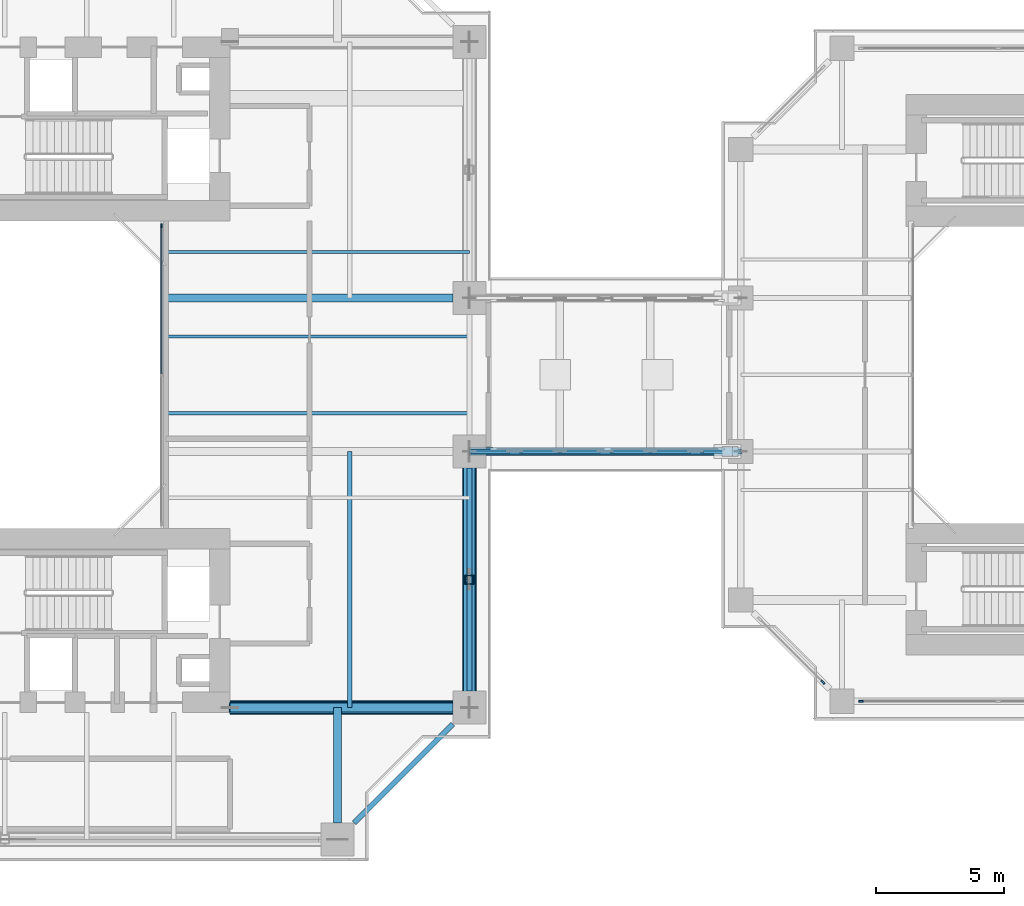
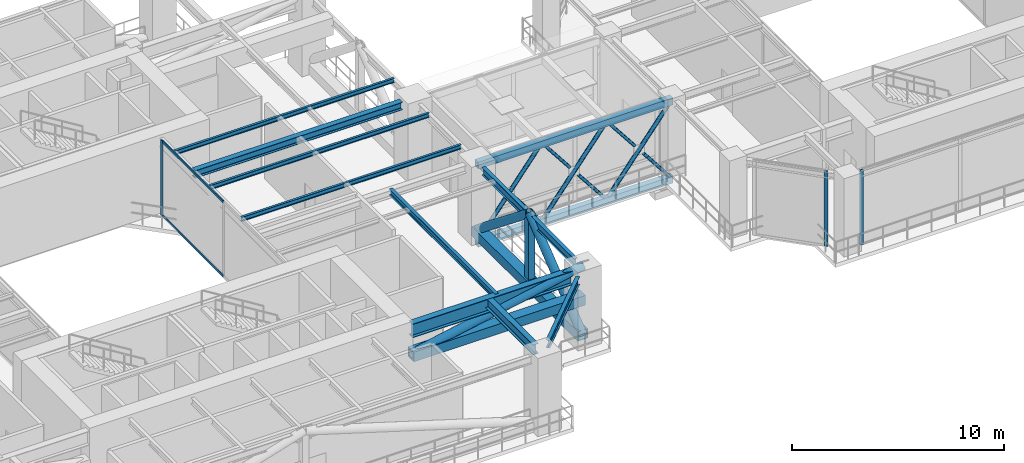
# One storey, part 5 of 26: 22 members, 9 beams, 3 elements without a shape of their own.
"""IFC4 building model written with IfcOpenShell, lengths in metres."""

from ifc_helpers import new_model, si_unit, direction, frame, origin, origin_2d, place, context, subcontext, project, spatial, rectangle, hollow_rectangle, hollow_circle, i_section, extrude, source, transform, mapped, material, layer, layer_set, material_profile, profile_set, type_object, element, aggregate, save


model = new_model("IFC4")

# Units and contexts
model_context = context("Model", 3, precision=1e-05, world=origin(), true_north=direction((0.0, 1.0)))
body_context = subcontext(model_context, "Body", "Model", "MODEL_VIEW")
ifc_project = project(units=[si_unit("LENGTHUNIT", "METRE"), si_unit("AREAUNIT", "SQUARE_METRE"), si_unit("VOLUMEUNIT", "CUBIC_METRE"), si_unit("PLANEANGLEUNIT", "RADIAN"), si_unit("MASSUNIT", "GRAM", prefix="KILO"), si_unit("THERMODYNAMICTEMPERATUREUNIT", "KELVIN"), si_unit("POWERUNIT", "WATT")], contexts=[model_context])

# Site, building, storey
site_placement = place(None, origin())
site = spatial("IfcSite", under=ifc_project, at=site_placement, CompositionType="ELEMENT")
building_placement = place(site_placement, origin())
building = spatial("IfcBuilding", under=site, at=building_placement, Name="Qiaomeng Ring Towers", CompositionType="ELEMENT")
storey_placement = place(building_placement, frame((0.0, 0.0, 45.75)))
storey = spatial("IfcBuildingStorey", under=building, at=storey_placement, Name="L12", CompositionType="ELEMENT", Elevation=45.75)

# Beams
ifc_material_1 = material(Name="Steel Q355B", Category="steel")
ifc_material_profile_1 = material_profile(ifc_material_1, i_section(OverallWidth=0.199951171875, OverallDepth=0.449951171875, WebThickness=0.009033203125, FlangeThickness=0.013916015625, FilletRadius=0.01806640625, at=origin_2d()), Name="HN 450x200x9x14")
ifc_profile_set_1 = profile_set([ifc_material_profile_1], Name="Steel Q355B")
beam_type_1 = type_object("IfcBeamType", Name="STR-BM-HN450", PredefinedType="SPANDREL", material=ifc_profile_set_1)
shared_shape_1 = source(origin(), body_context, "Body", "SweptSolid", [
    extrude(i_section(OverallWidth=0.199951171875, OverallDepth=0.449951171875, WebThickness=0.009033203125, FlangeThickness=0.013916015625, FilletRadius=0.01806640625, at=origin_2d()), origin(), (0.0, 0.0, 1.0), 5.446533203125),
])
beam_1_placement = place(storey_placement, frame((32.6494140625, 5.499267578125, 4.094970703125), z_axis=(0.707106781187, 0.707106781187, 0.0), x_axis=(-0.707106781187, 0.707106781187, 0.0)))
element("IfcBeam", 1, at=beam_1_placement, inside=storey, type_object=beam_type_1, Name="L12 beam STR-SP-L12-T1-S2-E1", PredefinedType="SPANDREL", context=body_context, shape_type="MappedRepresentation", body=[
    mapped(shared_shape_1, transform((0.0, 0.0, 0.0), x_axis=(1.0, 0.0, 0.0), y_axis=(0.0, 1.0, 0.0), z_axis=(0.0, 0.0, 1.0), scale=1.0)),
])
shared_shape_2 = source(origin(), body_context, "Body", "SweptSolid", [
    extrude(i_section(OverallWidth=0.199951171875, OverallDepth=0.449951171875, WebThickness=0.009033203125, FlangeThickness=0.013916015625, FilletRadius=0.01806640625, at=origin_2d()), origin(), (0.0, 0.0, 1.0), 8.7021484375),
])
beam_2_placement = place(storey_placement, frame((37.14990234375, 10.64892578125, 4.094970703125), z_axis=(0.0, 1.0, 0.0), x_axis=(-1.0, 0.0, 0.0)))
element("IfcBeam", 2, at=beam_2_placement, inside=storey, type_object=beam_type_1, Name="L12 beam STR-SP-L12-T1-E1-E2", PredefinedType="SPANDREL", context=body_context, shape_type="MappedRepresentation", body=[
    mapped(shared_shape_2, transform((0.0, 0.0, 0.0), x_axis=(1.0, 0.0, 0.0), y_axis=(0.0, 1.0, 0.0), z_axis=(0.0, 0.0, 1.0), scale=1.0)),
])
ifc_material_2 = material(Name="Steel Q390GJC", Category="steel")
ifc_material_profile_2 = material_profile(ifc_material_2, i_section(OverallWidth=0.35009765625, OverallDepth=0.800048828125, WebThickness=0.01611328125, FlangeThickness=0.028076171875, at=origin_2d()), Name="WH 800x350x16x28")
ifc_profile_set_2 = profile_set([ifc_material_profile_2], Name="Steel Q390GJC")
beam_type_2 = type_object("IfcBeamType", Name="STR-BM-WH800", PredefinedType="BEAM", material=ifc_profile_set_2)
shared_shape_3 = source(origin(), body_context, "Body", "SweptSolid", [
    extrude(i_section(OverallWidth=0.35009765625, OverallDepth=0.800048828125, WebThickness=0.01611328125, FlangeThickness=0.028076171875, at=origin_2d()), origin(), (0.0, 0.0, 1.0), 8.700927734375),
])
beam_3_placement = place(storey_placement, frame((27.800048828125, 10.0, 3.919921875), z_axis=(1.0, 0.0, 0.0), x_axis=(0.0, 1.0, 0.0)))
element("IfcBeam", 3, at=beam_3_placement, inside=storey, type_object=beam_type_2, Name="L12 beam STR-BM-L12-T1-RAD-E1", PredefinedType="BEAM", context=body_context, shape_type="MappedRepresentation", body=[
    mapped(shared_shape_3, transform((0.0, 0.0, 0.0), x_axis=(1.0, 0.0, 0.0), y_axis=(0.0, 1.0, 0.0), z_axis=(0.0, 0.0, 1.0), scale=1.0)),
])
ifc_material_profile_3 = material_profile(ifc_material_1, i_section(OverallWidth=0.300048828125, OverallDepth=0.587890625, WebThickness=0.011962890625, FlangeThickness=0.02001953125, FilletRadius=0.028076171875, at=origin_2d()), Name="HM 588x300x12x20")
ifc_profile_set_3 = profile_set([ifc_material_profile_3], Name="Steel Q355B")
beam_type_3 = type_object("IfcBeamType", Name="STR-BM-HM588", PredefinedType="BEAM", material=ifc_profile_set_3)
shared_shape_4 = source(origin(), body_context, "Body", "SweptSolid", [
    extrude(i_section(OverallWidth=0.300048828125, OverallDepth=0.587890625, WebThickness=0.011962890625, FlangeThickness=0.02001953125, FilletRadius=0.028076171875, at=origin_2d()), origin(), (0.0, 0.0, 1.0), 4.5009765625),
])
beam_4_placement = place(storey_placement, frame((32.0, 5.4990234375, 4.02587890625), z_axis=(0.0, 1.0, 0.0), x_axis=(-1.0, 0.0, 0.0)))
element("IfcBeam", 4, at=beam_4_placement, inside=storey, type_object=beam_type_3, Name="L12 beam STR-BM-L12-T1-RAD-S2", PredefinedType="BEAM", context=body_context, shape_type="MappedRepresentation", body=[
    mapped(shared_shape_4, transform((0.0, 0.0, 0.0), x_axis=(1.0, 0.0, 0.0), y_axis=(0.0, 1.0, 0.0), z_axis=(0.0, 0.0, 1.0), scale=1.0)),
])
ifc_material_profile_4 = material_profile(ifc_material_1, i_section(OverallWidth=0.300048828125, OverallDepth=0.43994140625, WebThickness=0.010986328125, FlangeThickness=0.01806640625, FilletRadius=0.02392578125, at=origin_2d()), Name="HM 440x300x11x18")
ifc_profile_set_4 = profile_set([ifc_material_profile_4], Name="Steel Q355B")
beam_type_4 = type_object("IfcBeamType", Name="STR-BM-HM440", PredefinedType="BEAM", material=ifc_profile_set_4)
shared_shape_5 = source(origin(), body_context, "Body", "SweptSolid", [
    extrude(i_section(OverallWidth=0.300048828125, OverallDepth=0.43994140625, WebThickness=0.010986328125, FlangeThickness=0.01806640625, FilletRadius=0.02392578125, at=origin_2d()), origin(), (0.0, 0.0, 1.0), 11.301025390625),
])
beam_5_placement = place(storey_placement, frame((25.199951171875, 26.0, 4.10009765625), z_axis=(1.0, 0.0, 0.0), x_axis=(0.0, 1.0, 0.0)))
element("IfcBeam", 5, at=beam_5_placement, inside=storey, type_object=beam_type_4, Name="L12 beam STR-BM-L12-T1-RAD-E3", PredefinedType="BEAM", context=body_context, shape_type="MappedRepresentation", body=[
    mapped(shared_shape_5, transform((0.0, 0.0, 0.0), x_axis=(1.0, 0.0, 0.0), y_axis=(0.0, 1.0, 0.0), z_axis=(0.0, 0.0, 1.0), scale=1.0)),
])
ifc_material_profile_5 = material_profile(ifc_material_1, i_section(OverallWidth=0.125, OverallDepth=0.25, WebThickness=0.006103515625, FlangeThickness=0.009033203125, FilletRadius=0.011962890625, at=origin_2d()), Name="HN 250x125x6x9")
ifc_profile_set_5 = profile_set([ifc_material_profile_5], Name="Steel Q355B")
beam_type_5 = type_object("IfcBeamType", Name="STR-BM-HN250", PredefinedType="JOIST", material=ifc_profile_set_5)
shared_shape_6 = source(origin(), body_context, "Body", "SweptSolid", [
    extrude(i_section(OverallWidth=0.125, OverallDepth=0.25, WebThickness=0.006103515625, FlangeThickness=0.009033203125, FilletRadius=0.011962890625, at=origin_2d()), origin(), (0.0, 0.0, 1.0), 11.949951171875),
])
for number, where, z_axis, x_axis, name in (
    (6, (25.199951171875, 21.5, 4.195068359375), (1.0, 0.0, 0.0), (0.0, 1.0, 0.0), "L12 beam STR-JST-L12-T1E-2"),
    (7, (25.199951171875, 24.5, 4.195068359375), (1.0, 0.0, 0.0), (0.0, 1.0, 0.0), "L12 beam STR-JST-L12-T1E-3"),
    (8, (25.199951171875, 27.800048828125, 4.195068359375), (1.0, 0.0, 0.0), (0.0, 1.0, 0.0), "L12 beam STR-JST-L12-T1E-4"),
):
    element("IfcBeam", number, at=place(storey_placement, frame(where, z_axis=z_axis, x_axis=x_axis)), inside=storey, type_object=beam_type_5, Name=name, PredefinedType="JOIST", context=body_context, shape_type="MappedRepresentation", body=[
        mapped(shared_shape_6, transform((0.0, 0.0, 0.0), x_axis=(1.0, 0.0, 0.0), y_axis=(0.0, 1.0, 0.0), z_axis=(0.0, 0.0, 1.0), scale=1.0)),
    ])
ifc_material_profile_6 = material_profile(ifc_material_1, i_section(OverallWidth=0.175048828125, OverallDepth=0.35009765625, WebThickness=0.007080078125, FlangeThickness=0.010986328125, FilletRadius=0.013916015625, at=origin_2d()), Name="HN 350x175x7x11")
ifc_profile_set_6 = profile_set([ifc_material_profile_6], Name="Steel Q355B")
beam_type_6 = type_object("IfcBeamType", Name="STR-BM-HN350", PredefinedType="JOIST", material=ifc_profile_set_6)
shared_shape_7 = source(origin(), body_context, "Body", "SweptSolid", [
    extrude(i_section(OverallWidth=0.175048828125, OverallDepth=0.35009765625, WebThickness=0.007080078125, FlangeThickness=0.010986328125, FilletRadius=0.013916015625, at=origin_2d()), origin(), (0.0, 0.0, 1.0), 10.0),
])
beam_6_placement = place(storey_placement, frame((32.47509765625, 10.0, 4.14501953125), z_axis=(0.0, 1.0, 0.0), x_axis=(-1.0, 0.0, 0.0)))
element("IfcBeam", 9, at=beam_6_placement, inside=storey, type_object=beam_type_6, Name="L12 beam STR-JST-L12-T1C-ES", PredefinedType="JOIST", context=body_context, shape_type="MappedRepresentation", body=[
    mapped(shared_shape_7, transform((0.0, 0.0, 0.0), x_axis=(1.0, 0.0, 0.0), y_axis=(0.0, 1.0, 0.0), z_axis=(0.0, 0.0, 1.0), scale=1.0)),
])

# Members
ifc_material_profile_7 = material_profile(ifc_material_2, hollow_rectangle(XDim=0.35009765625, YDim=0.35009765625, WallThickness=0.02001953125, at=origin_2d()), Name="SHS 350x350x20")
ifc_profile_set_7 = profile_set([ifc_material_profile_7], Name="Steel Q390GJC")
member_type_1 = type_object("IfcMemberType", Name="STR-MB-POST-350", PredefinedType="POST", material=ifc_profile_set_7)
shared_shape_8 = source(origin(), body_context, "Body", "SweptSolid", [
    extrude(hollow_rectangle(XDim=0.35009765625, YDim=0.35009765625, WallThickness=0.02001953125, at=origin_2d()), origin(), (0.0, 0.0, 1.0), 4.0),
])
member_1_placement = place(storey_placement, frame((37.14990234375, 15.0, 0.320068359375), z_axis=(0.0, 0.0, 1.0), x_axis=(1.0, 0.0, 0.0)))
element("IfcMember", 10, at=member_1_placement, inside=storey, type_object=member_type_1, Name="L12 Belt Truss Post E1-E2", PredefinedType="POST", context=body_context, shape_type="MappedRepresentation", body=[
    mapped(shared_shape_8, transform((0.0, 0.0, 0.0), x_axis=(1.0, 0.0, 0.0), y_axis=(0.0, 1.0, 0.0), z_axis=(0.0, 0.0, 1.0), scale=1.0)),
])
ifc_material_profile_8 = material_profile(ifc_material_2, hollow_rectangle(XDim=0.550048828125, YDim=0.550048828125, WallThickness=0.031982421875, at=origin_2d()), Name="SHS 550x550x32")
ifc_profile_set_8 = profile_set([ifc_material_profile_8], Name="Steel Q390GJC")
member_type_2 = type_object("IfcMemberType", Name="STR-MB-CHORD-550", PredefinedType="CHORD", material=ifc_profile_set_8)
shared_shape_9 = source(origin(), body_context, "Body", "SweptSolid", [
    extrude(hollow_rectangle(XDim=0.550048828125, YDim=0.550048828125, WallThickness=0.031982421875, at=origin_2d()), origin(), (0.0, 0.0, 1.0), 10.0),
])
member_2_placement = place(storey_placement, frame((37.14990234375, 10.0, 0.320068359375), z_axis=(0.0, 1.0, 0.0), x_axis=(-1.0, 0.0, 0.0)))
element("IfcMember", 11, at=member_2_placement, inside=storey, type_object=member_type_2, Name="L12 Belt Truss Bottom Chord E1-E2", PredefinedType="CHORD", context=body_context, shape_type="MappedRepresentation", body=[
    mapped(shared_shape_9, transform((0.0, 0.0, 0.0), x_axis=(1.0, 0.0, 0.0), y_axis=(0.0, 1.0, 0.0), z_axis=(0.0, 0.0, 1.0), scale=1.0)),
])
ifc_material_profile_9 = material_profile(ifc_material_2, hollow_circle(Radius=0.228515625, WallThickness=0.028076171875, at=origin_2d()), Name="CHS 457x28")
ifc_profile_set_9 = profile_set([ifc_material_profile_9], Name="Steel Q390GJC")
member_type_3 = type_object("IfcMemberType", Name="STR-MB-BR-457", PredefinedType="BRACE", material=ifc_profile_set_9)
shared_shape_10 = source(origin(), body_context, "Body", "SweptSolid", [
    extrude(hollow_circle(Radius=0.228515625, WallThickness=0.028076171875, at=origin_2d()), origin(), (0.0, 0.0, 1.0), 6.390625),
])
for number, where, z_axis, x_axis, name in (
    (12, (37.14990234375, 10.0, 0.320068359375), (0.0, 0.782394587595, 0.622783035497), (-1.0, 0.0, 0.0), "L12 Belt Truss Diagonal E1-M"),
    (13, (37.14990234375, 20.0, 0.320068359375), (0.0, -0.782394587595, 0.622783035497), (1.0, 0.0, 0.0), "L12 Belt Truss Diagonal E2-M"),
):
    element("IfcMember", number, at=place(storey_placement, frame(where, z_axis=z_axis, x_axis=x_axis)), inside=storey, type_object=member_type_3, Name=name, PredefinedType="BRACE", context=body_context, shape_type="MappedRepresentation", body=[
        mapped(shared_shape_10, transform((0.0, 0.0, 0.0), x_axis=(1.0, 0.0, 0.0), y_axis=(0.0, 1.0, 0.0), z_axis=(0.0, 0.0, 1.0), scale=1.0)),
    ])
shared_shape_11 = source(origin(), body_context, "Body", "SweptSolid", [
    extrude(hollow_rectangle(XDim=0.550048828125, YDim=0.550048828125, WallThickness=0.031982421875, at=origin_2d()), origin(), (0.0, 0.0, 1.0), 9.349853515625),
])
member_3_placement = place(storey_placement, frame((27.800048828125, 10.0, 2.47998046875), z_axis=(1.0, 0.0, 0.0), x_axis=(0.0, 1.0, 0.0)))
element("IfcMember", 14, at=member_3_placement, inside=storey, type_object=member_type_2, Name="L12 Core Outrigger Truss Bottom Chord E1", PredefinedType="CHORD", context=body_context, shape_type="MappedRepresentation", body=[
    mapped(shared_shape_11, transform((0.0, 0.0, 0.0), x_axis=(1.0, 0.0, 0.0), y_axis=(0.0, 1.0, 0.0), z_axis=(0.0, 0.0, 1.0), scale=1.0)),
])
shared_shape_12 = source(origin(), body_context, "Body", "SweptSolid", [
    extrude(hollow_circle(Radius=0.228515625, WallThickness=0.028076171875, at=origin_2d()), origin(), (0.0, 0.0, 1.0), 9.525390625),
])
member_4_placement = place(storey_placement, frame((27.800048828125, 10.0, 2.47998046875), z_axis=(0.981575216514, 0.0, 0.191076147978), x_axis=(0.0, 1.0, 0.0)))
element("IfcMember", 15, at=member_4_placement, inside=storey, type_object=member_type_3, Name="L12 Core Outrigger Truss Diagonal E1", PredefinedType="BRACE", context=body_context, shape_type="MappedRepresentation", body=[
    mapped(shared_shape_12, transform((0.0, 0.0, 0.0), x_axis=(1.0, 0.0, 0.0), y_axis=(0.0, 1.0, 0.0), z_axis=(0.0, 0.0, 1.0), scale=1.0)),
])
ifc_material_profile_10 = material_profile(ifc_material_2, hollow_rectangle(XDim=0.300048828125, YDim=0.39990234375, WallThickness=0.02197265625, at=origin_2d()), Name="RHS 400x300x22")
ifc_profile_set_10 = profile_set([ifc_material_profile_10], Name="Steel Q390GJC")
member_type_4 = type_object("IfcMemberType", Name="STR-MB-CHORD-400", PredefinedType="CHORD", material=ifc_profile_set_10)
shared_shape_13 = source(origin(), body_context, "Body", "SweptSolid", [
    extrude(hollow_rectangle(XDim=0.300048828125, YDim=0.39990234375, WallThickness=0.02197265625, at=origin_2d()), origin(), (0.0, 0.0, 1.0), 10.60009765625),
])
for number, where, z_axis, x_axis, name in (
    (16, (37.14990234375, 20.0, -0.429931640625), (1.0, 0.0, 0.0), (0.0, 1.0, 0.0), "Skybridge Bridge SB1 Primary Bottom Chord S"),
    (17, (37.14990234375, 20.0, 4.070068359375), (1.0, 0.0, 0.0), (0.0, 1.0, 0.0), "Skybridge Bridge SB1 Primary Top Chord S"),
):
    element("IfcMember", number, at=place(storey_placement, frame(where, z_axis=z_axis, x_axis=x_axis)), inside=storey, type_object=member_type_4, Name=name, PredefinedType="CHORD", context=body_context, shape_type="MappedRepresentation", body=[
        mapped(shared_shape_13, transform((0.0, 0.0, 0.0), x_axis=(1.0, 0.0, 0.0), y_axis=(0.0, 1.0, 0.0), z_axis=(0.0, 0.0, 1.0), scale=1.0)),
    ])
ifc_material_profile_11 = material_profile(ifc_material_2, hollow_circle(Radius=0.109619140625, WallThickness=0.011962890625, at=origin_2d()), Name="CHS 219x12")
ifc_profile_set_11 = profile_set([ifc_material_profile_11], Name="Steel Q390GJC")
member_type_5 = type_object("IfcMemberType", Name="STR-MB-BR-219", PredefinedType="BRACE", material=ifc_profile_set_11)
shared_shape_14 = source(origin(), body_context, "Body", "SweptSolid", [
    extrude(hollow_circle(Radius=0.109619140625, WallThickness=0.011962890625, at=origin_2d()), origin(), (0.0, 0.0, 1.0), 5.721435546875),
])
member_5_placement = place(storey_placement, frame((37.14990234375, 20.0, -0.429931640625), z_axis=(0.617550136952, 0.0, 0.78653151771), x_axis=(0.0, 1.0, 0.0)))
element("IfcMember", 18, at=member_5_placement, inside=storey, type_object=member_type_5, Name="Skybridge Bridge SB1 Truss Diagonal S-1", PredefinedType="BRACE", context=body_context, shape_type="MappedRepresentation", body=[
    mapped(shared_shape_14, transform((0.0, 0.0, 0.0), x_axis=(1.0, 0.0, 0.0), y_axis=(0.0, 1.0, 0.0), z_axis=(0.0, 0.0, 1.0), scale=1.0)),
])
ifc_material_profile_12 = material_profile(ifc_material_2, hollow_circle(Radius=0.083984375, WallThickness=0.008056640625, at=origin_2d()), Name="CHS 168x8")
ifc_profile_set_12 = profile_set([ifc_material_profile_12], Name="Steel Q390GJC")
member_type_6 = type_object("IfcMemberType", Name="STR-MB-BR-168", PredefinedType="BRACE", material=ifc_profile_set_12)
shared_shape_15 = source(origin(), body_context, "Body", "SweptSolid", [
    extrude(hollow_circle(Radius=0.083984375, WallThickness=0.008056640625, at=origin_2d()), origin(), (0.0, 0.0, 1.0), 2.4599609375),
])
for number, where, z_axis, x_axis, name in (
    (19, (40.68310546875, 20.0, -0.429931640625), (-0.617589227462, 0.0, 0.786500823981), (0.0, -1.0, 0.0), "Skybridge Bridge SB1 Split X-Brace Lower S-1"),
    (20, (47.75, 20.0, -0.429931640625), (-0.617589227462, 0.0, 0.786500823981), (0.0, -1.0, 0.0), "Skybridge Bridge SB1 Split X-Brace Lower S-3"),
    (21, (45.736083984375, 20.0, 2.135009765625), (-0.617479627468, 0.0, 0.786586873563), (0.0, -1.0, 0.0), "Skybridge Bridge SB1 Split X-Brace Upper S-3"),
):
    element("IfcMember", number, at=place(storey_placement, frame(where, z_axis=z_axis, x_axis=x_axis)), inside=storey, type_object=member_type_6, Name=name, PredefinedType="BRACE", context=body_context, shape_type="MappedRepresentation", body=[
        mapped(shared_shape_15, transform((0.0, 0.0, 0.0), x_axis=(1.0, 0.0, 0.0), y_axis=(0.0, 1.0, 0.0), z_axis=(0.0, 0.0, 1.0), scale=1.0)),
    ])
shared_shape_16 = source(origin(), body_context, "Body", "SweptSolid", [
    extrude(hollow_circle(Radius=0.083984375, WallThickness=0.008056640625, at=origin_2d()), origin(), (0.0, 0.0, 1.0), 2.460205078125),
])
for number, where, z_axis, x_axis, name in (
    (22, (38.669189453125, 20.0, 2.135009765625), (-0.617541024319, 0.0, 0.786538672465), (0.0, -1.0, 0.0), "Skybridge Bridge SB1 Split X-Brace Upper S-1"),
    (23, (44.217041015625, 20.0, -0.429931640625), (-0.617650611909, 0.0, 0.786452618795), (0.0, -1.0, 0.0), "Skybridge Bridge SB1 Split X-Brace Lower S-2"),
):
    element("IfcMember", number, at=place(storey_placement, frame(where, z_axis=z_axis, x_axis=x_axis)), inside=storey, type_object=member_type_6, Name=name, PredefinedType="BRACE", context=body_context, shape_type="MappedRepresentation", body=[
        mapped(shared_shape_16, transform((0.0, 0.0, 0.0), x_axis=(1.0, 0.0, 0.0), y_axis=(0.0, 1.0, 0.0), z_axis=(0.0, 0.0, 1.0), scale=1.0)),
    ])
shared_shape_17 = source(origin(), body_context, "Body", "SweptSolid", [
    extrude(hollow_circle(Radius=0.109619140625, WallThickness=0.011962890625, at=origin_2d()), origin(), (0.0, 0.0, 1.0), 5.7216796875),
])
member_6_placement = place(storey_placement, frame((40.68310546875, 20.0, -0.429931640625), z_axis=(0.617629322455, 0.0, 0.786469338273), x_axis=(0.0, 1.0, 0.0)))
element("IfcMember", 24, at=member_6_placement, inside=storey, type_object=member_type_5, Name="Skybridge Bridge SB1 Truss Diagonal S-2", PredefinedType="BRACE", context=body_context, shape_type="MappedRepresentation", body=[
    mapped(shared_shape_17, transform((0.0, 0.0, 0.0), x_axis=(1.0, 0.0, 0.0), y_axis=(0.0, 1.0, 0.0), z_axis=(0.0, 0.0, 1.0), scale=1.0)),
])
shared_shape_18 = source(origin(), body_context, "Body", "SweptSolid", [
    extrude(hollow_circle(Radius=0.083984375, WallThickness=0.008056640625, at=origin_2d()), origin(), (0.0, 0.0, 1.0), 2.46044921875),
])
member_7_placement = place(storey_placement, frame((42.20263671875, 20.0, 2.135009765625), z_axis=(-0.617602409883, 0.0, 0.786490472483), x_axis=(0.0, -1.0, 0.0)))
element("IfcMember", 25, at=member_7_placement, inside=storey, type_object=member_type_6, Name="Skybridge Bridge SB1 Split X-Brace Upper S-2", PredefinedType="BRACE", context=body_context, shape_type="MappedRepresentation", body=[
    mapped(shared_shape_18, transform((0.0, 0.0, 0.0), x_axis=(1.0, 0.0, 0.0), y_axis=(0.0, 1.0, 0.0), z_axis=(0.0, 0.0, 1.0), scale=1.0)),
])
shared_shape_19 = source(origin(), body_context, "Body", "SweptSolid", [
    extrude(hollow_circle(Radius=0.109619140625, WallThickness=0.011962890625, at=origin_2d()), origin(), (0.0, 0.0, 1.0), 5.72119140625),
])
member_8_placement = place(storey_placement, frame((44.217041015625, 20.0, -0.429931640625), z_axis=(0.61752373761, 0.0, 0.786552244602), x_axis=(0.0, 1.0, 0.0)))
element("IfcMember", 26, at=member_8_placement, inside=storey, type_object=member_type_5, Name="Skybridge Bridge SB1 Truss Diagonal S-3", PredefinedType="BRACE", context=body_context, shape_type="MappedRepresentation", body=[
    mapped(shared_shape_19, transform((0.0, 0.0, 0.0), x_axis=(1.0, 0.0, 0.0), y_axis=(0.0, 1.0, 0.0), z_axis=(0.0, 0.0, 1.0), scale=1.0)),
])

# Curtain wall, members
ifc_material_3 = material(Name="Fluorocarbon dark-grey aluminium", Category="aluminium")
ifc_layer_1 = layer(ifc_material_3, 0.139892578125, Name="Fluorocarbon dark-grey aluminium")
ifc_layer_set_1 = layer_set([ifc_layer_1], Name="Fluorocarbon dark-grey aluminium")
curtain_wall_type_1 = type_object("IfcCurtainWallType", Name="ARC-CW-4", PredefinedType="NOTDEFINED", material=ifc_layer_set_1)
curtain_wall_1_placement = place(storey_placement, origin())
curtain_wall_1 = element("IfcCurtainWall", 27, at=curtain_wall_1_placement, inside=storey, type_object=curtain_wall_type_1, Name="L12 Curtain Wall CW4", PredefinedType="NOTDEFINED")
ifc_material_profile_13 = material_profile(ifc_material_3, rectangle(XDim=0.06494140625, YDim=0.1298828125, at=origin_2d()), Name="ALU TRAN 65x130")
ifc_profile_set_13 = profile_set([ifc_material_profile_13], Name="Fluorocarbon dark-grey aluminium")
member_type_7 = type_object("IfcMemberType", Name="ARC-CWT-120", PredefinedType="USERDEFINED", material=ifc_profile_set_13)
shared_shape_20 = source(origin(), body_context, "Body", "SweptSolid", [
    extrude(rectangle(XDim=0.06494140625, YDim=0.1298828125, at=origin_2d()), origin(), (0.0, 0.0, 1.0), 5.75244140625),
])
member_9_placement = place(storey_placement, frame((25.1201171875, 23.032470703125, 0.032470703125), z_axis=(0.0, 1.0, 0.0), x_axis=(-1.0, 0.0, 0.0)))
member_9 = element("IfcMember", 28, at=member_9_placement, type_object=member_type_7, Name="CW4 transom 2.1", ObjectType="TRANSOM", PredefinedType="USERDEFINED", context=body_context, shape_type="MappedRepresentation", body=[
    mapped(shared_shape_20, transform((0.0, 0.0, 0.0), x_axis=(1.0, 0.0, 0.0), y_axis=(0.0, 1.0, 0.0), z_axis=(0.0, 0.0, 1.0), scale=1.0)),
])
member_10_placement = place(storey_placement, frame((25.1201171875, 23.032470703125, 4.28759765625), z_axis=(0.0, 1.0, 0.0), x_axis=(-1.0, 0.0, 0.0)))
member_10 = element("IfcMember", 29, at=member_10_placement, type_object=member_type_7, Name="CW4 transom 2.2", ObjectType="TRANSOM", PredefinedType="USERDEFINED", context=body_context, shape_type="MappedRepresentation", body=[
    mapped(shared_shape_20, transform((0.0, 0.0, 0.0), x_axis=(1.0, 0.0, 0.0), y_axis=(0.0, 1.0, 0.0), z_axis=(0.0, 0.0, 1.0), scale=1.0)),
])
ifc_material_profile_14 = material_profile(ifc_material_3, rectangle(XDim=0.06494140625, YDim=0.159912109375, at=origin_2d()), Name="ALU MULL 65x160")
ifc_profile_set_14 = profile_set([ifc_material_profile_14], Name="Fluorocarbon dark-grey aluminium")
member_type_8 = type_object("IfcMemberType", Name="ARC-CWM-140", PredefinedType="MULLION", material=ifc_profile_set_14)
shared_shape_21 = source(origin(), body_context, "Body", "SweptSolid", [
    extrude(rectangle(XDim=0.06494140625, YDim=0.159912109375, at=origin_2d()), origin(), (0.0, 0.0, 1.0), 4.320068359375),
])
member_11_placement = place(storey_placement, frame((25.1201171875, 28.8173828125, 0.0), z_axis=(0.0, 0.0, 1.0), x_axis=(-1.0, 0.0, 0.0)))
member_11 = element("IfcMember", 30, at=member_11_placement, type_object=member_type_8, Name="CW4 mullion 3", PredefinedType="MULLION", context=body_context, shape_type="MappedRepresentation", body=[
    mapped(shared_shape_21, transform((0.0, 0.0, 0.0), x_axis=(1.0, 0.0, 0.0), y_axis=(0.0, 1.0, 0.0), z_axis=(0.0, 0.0, 1.0), scale=1.0)),
])
aggregate(curtain_wall_1, [member_11, member_9, member_10])

# Curtain wall, member
ifc_layer_2 = layer(ifc_material_3, 0.14990234375, Name="Fluorocarbon dark-grey aluminium")
ifc_layer_set_2 = layer_set([ifc_layer_2], Name="Fluorocarbon dark-grey aluminium")
curtain_wall_type_2 = type_object("IfcCurtainWallType", Name="ARC-CW-5", PredefinedType="NOTDEFINED", material=ifc_layer_set_2)
curtain_wall_2_placement = place(storey_placement, origin())
curtain_wall_2 = element("IfcCurtainWall", 31, at=curtain_wall_2_placement, inside=storey, type_object=curtain_wall_type_2, Name="L12 Curtain Wall CW5", PredefinedType="NOTDEFINED")
ifc_material_profile_15 = material_profile(ifc_material_3, rectangle(XDim=0.070068359375, YDim=0.179931640625, at=origin_2d()), Name="ALU MULL 70x180")
ifc_profile_set_15 = profile_set([ifc_material_profile_15], Name="Fluorocarbon dark-grey aluminium")
member_type_9 = type_object("IfcMemberType", Name="ARC-CWM-160", PredefinedType="MULLION", material=ifc_profile_set_15)
shared_shape_22 = source(origin(), body_context, "Body", "SweptSolid", [
    extrude(rectangle(XDim=0.070068359375, YDim=0.179931640625, at=origin_2d()), origin(), (0.0, 0.0, 1.0), 4.320068359375),
])
member_12_placement = place(storey_placement, frame((50.960205078125, 10.98974609375, 0.0), z_axis=(0.0, 0.0, 1.0), x_axis=(0.707106781187, 0.707106781187, 0.0)))
member_12 = element("IfcMember", 32, at=member_12_placement, type_object=member_type_9, Name="CW5 mullion 2", PredefinedType="MULLION", context=body_context, shape_type="MappedRepresentation", body=[
    mapped(shared_shape_22, transform((0.0, 0.0, 0.0), x_axis=(1.0, 0.0, 0.0), y_axis=(0.0, 1.0, 0.0), z_axis=(0.0, 0.0, 1.0), scale=1.0)),
])
aggregate(curtain_wall_2, [member_12])

curtain_wall_3_placement = place(storey_placement, origin())
curtain_wall_3 = element("IfcCurtainWall", 33, at=curtain_wall_3_placement, inside=storey, type_object=curtain_wall_type_2, Name="L12 Curtain Wall CW5", PredefinedType="NOTDEFINED")
member_13_placement = place(storey_placement, frame((52.449951171875, 10.25, 0.0), z_axis=(0.0, 0.0, 1.0), x_axis=(0.0, 1.0, 0.0)))
member_13 = element("IfcMember", 34, at=member_13_placement, type_object=member_type_9, Name="CW5 mullion 1", PredefinedType="MULLION", context=body_context, shape_type="MappedRepresentation", body=[
    mapped(shared_shape_22, transform((0.0, 0.0, 0.0), x_axis=(1.0, 0.0, 0.0), y_axis=(0.0, 1.0, 0.0), z_axis=(0.0, 0.0, 1.0), scale=1.0)),
])
aggregate(curtain_wall_3, [member_13])

save(model, "model.ifc")
